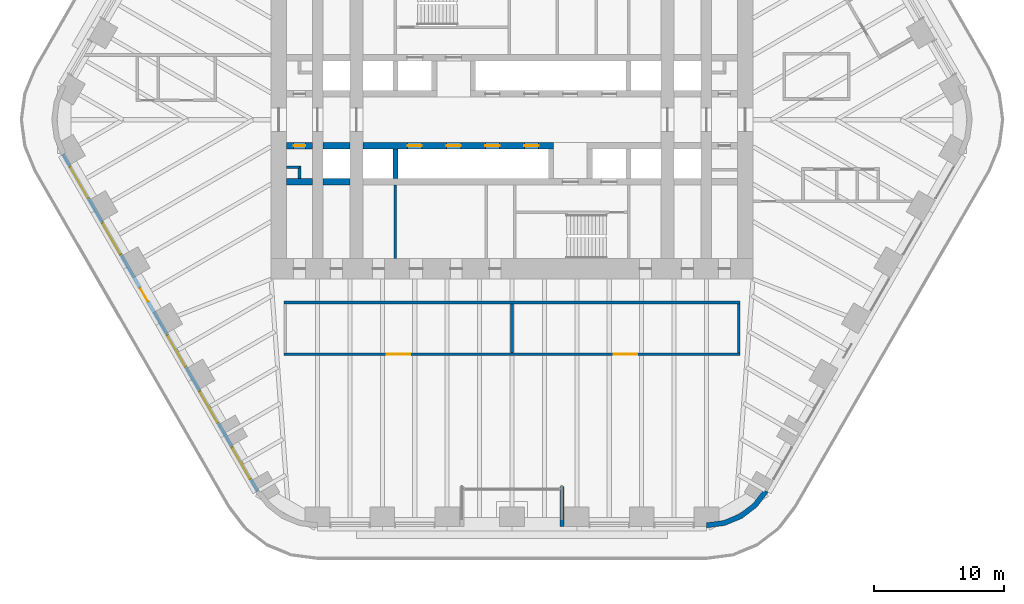
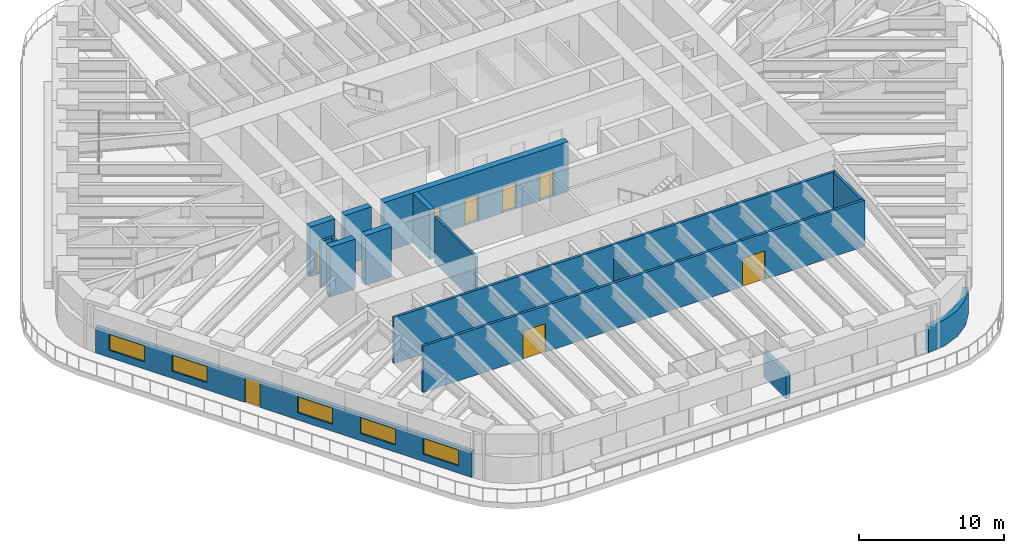
# One storey, part 12 of 19: 16 walls, 8 doors, 5 windows, 13 openings.
"""IFC4 building model written with IfcOpenShell, lengths in metres."""

from ifc_helpers import new_model, si_unit, direction, frame, frame_2d, origin, place, context, subcontext, project, spatial, polyline, rectangle, outline, extrude, material, layer, layer_set, type_object, element, fill, save


model = new_model("IFC4")

# Units and contexts
model_context = context("Model", 3, precision=1e-05, world=origin(), true_north=direction((0.0, 1.0)))
body_context = subcontext(model_context, "Body", "Model", "MODEL_VIEW")
ifc_project = project(units=[si_unit("LENGTHUNIT", "METRE"), si_unit("AREAUNIT", "SQUARE_METRE"), si_unit("VOLUMEUNIT", "CUBIC_METRE"), si_unit("PLANEANGLEUNIT", "RADIAN"), si_unit("MASSUNIT", "GRAM", prefix="KILO")], contexts=[model_context])

# Site, building, storey
site_placement = place(None, origin())
site = spatial("IfcSite", under=ifc_project, at=site_placement, CompositionType="ELEMENT")
building_placement = place(site_placement, origin())
building = spatial("IfcBuilding", under=site, at=building_placement, Name="Tarfa Lantern Tower", CompositionType="ELEMENT")
storey_placement = place(building_placement, frame((0.0, 0.0, 199.300048828125)))
storey = spatial("IfcBuildingStorey", under=building, at=storey_placement, Name="L45", CompositionType="ELEMENT", Elevation=199.300048828125)

# Wall, openings, door, windows
ifc_material_1 = material(Name="Limestone cladding on blockwork", Category="masonry")
ifc_layer_1 = layer(ifc_material_1, 0.300048828125)
ifc_layer_set_1 = layer_set([ifc_layer_1], Name="EW1 STONE-CLAD WALL 300")
wall_type_1 = type_object("IfcWallType", Name="EW1 STONE-CLAD WALL 300", PredefinedType="SOLIDWALL", material=ifc_layer_set_1)
wall_1_placement = place(storey_placement, frame((-34.655517578125, -2.675048828125, 0.0), z_axis=(0.0, 0.0, 1.0), x_axis=(0.500003084452, -0.866023622968, 0.0)))
wall_1 = element("IfcWall", 1, at=wall_1_placement, inside=storey, type_object=wall_type_1, Name="Stone wall SW", PredefinedType="SOLIDWALL", context=body_context, shape_type="SweptSolid", body=[
    extrude(rectangle(XDim=30.022216796875, YDim=0.300048828125, at=frame_2d((15.01123046875, 0.0))), origin(), (0.0, 0.0, 1.0), 2.199951171875),
])
opening_1_placement = place(wall_1_placement, frame((1.101806640625, 0.0, 0.60009765625)))
opening_1 = element("IfcOpeningElement", 2, at=opening_1_placement, cuts=wall_1, Name="Opening W10", PredefinedType="OPENING", context=body_context, shape_type="SweptSolid", body=[
    extrude(rectangle(XDim=2.800048828125, YDim=1.35009765625, at=frame_2d((1.39990234375, 0.675048828125))), frame((0.0, 0.159912109375, 0.0), z_axis=(0.0, -1.0, 0.0), x_axis=(1.0, 0.0, 0.0)), (0.0, 0.0, 1.0), 0.320068359375),
])
opening_2_placement = place(wall_1_placement, frame((6.10546875, 0.0, 0.60009765625)))
opening_2 = element("IfcOpeningElement", 3, at=opening_2_placement, cuts=wall_1, Name="Opening W10", PredefinedType="OPENING", context=body_context, shape_type="SweptSolid", body=[
    extrude(rectangle(XDim=2.800048828125, YDim=1.35009765625, at=frame_2d((1.39990234375, 0.675048828125))), frame((0.0, 0.159912109375, 0.0), z_axis=(0.0, -1.0, 0.0), x_axis=(1.0, 0.0, 0.0)), (0.0, 0.0, 1.0), 0.320068359375),
])
opening_3_placement = place(wall_1_placement, frame((11.9091796875, 0.0, 0.0)))
opening_3 = element("IfcOpeningElement", 4, at=opening_3_placement, cuts=wall_1, Name="Opening D51", PredefinedType="OPENING", context=body_context, shape_type="SweptSolid", body=[
    extrude(rectangle(XDim=1.199951171875, YDim=2.10009765625, at=frame_2d((0.60009765625, 1.050048828125))), frame((0.0, 0.159912109375, 0.0), z_axis=(0.0, -1.0, 0.0), x_axis=(1.0, 0.0, 0.0)), (0.0, 0.0, 1.0), 0.320068359375),
])
opening_4_placement = place(wall_1_placement, frame((16.113037109375, 0.0, 0.60009765625)))
opening_4 = element("IfcOpeningElement", 5, at=opening_4_placement, cuts=wall_1, Name="Opening W10", PredefinedType="OPENING", context=body_context, shape_type="SweptSolid", body=[
    extrude(rectangle(XDim=2.800048828125, YDim=1.35009765625, at=frame_2d((1.39990234375, 0.675048828125))), frame((0.0, 0.159912109375, 0.0), z_axis=(0.0, -1.0, 0.0), x_axis=(1.0, 0.0, 0.0)), (0.0, 0.0, 1.0), 0.320068359375),
])
opening_5_placement = place(wall_1_placement, frame((21.11669921875, 0.0, 0.60009765625)))
opening_5 = element("IfcOpeningElement", 6, at=opening_5_placement, cuts=wall_1, Name="Opening W10", PredefinedType="OPENING", context=body_context, shape_type="SweptSolid", body=[
    extrude(rectangle(XDim=2.800048828125, YDim=1.35009765625, at=frame_2d((1.39990234375, 0.675048828125))), frame((0.0, 0.159912109375, 0.0), z_axis=(0.0, -1.0, 0.0), x_axis=(1.0, 0.0, 0.0)), (0.0, 0.0, 1.0), 0.320068359375),
])
opening_6_placement = place(wall_1_placement, frame((26.120361328125, 0.0, 0.60009765625)))
opening_6 = element("IfcOpeningElement", 7, at=opening_6_placement, cuts=wall_1, Name="Opening W10", PredefinedType="OPENING", context=body_context, shape_type="SweptSolid", body=[
    extrude(rectangle(XDim=2.800048828125, YDim=1.35009765625, at=frame_2d((1.39990234375, 0.675048828125))), frame((0.0, 0.159912109375, 0.0), z_axis=(0.0, -1.0, 0.0), x_axis=(1.0, 0.0, 0.0)), (0.0, 0.0, 1.0), 0.320068359375),
])
ifc_material_2 = material(Name="Aluminium framed glazed door", Category="aluminium")
door_type_1 = type_object("IfcDoorType", Name="BE4 BALCONY DOOR 1200x2100", OperationType="SINGLE_SWING_RIGHT", PredefinedType="DOOR", material=ifc_material_2)
door_1_placement = place(opening_3_placement, origin())
door_1 = element("IfcDoor", 8, at=door_1_placement, inside=storey, type_object=door_type_1, Name="Balcony door SW", OperationType="SINGLE_SWING_RIGHT", OverallHeight=2.10009765625, OverallWidth=1.199951171875, PredefinedType="DOOR", context=body_context, shape_type="SweptSolid", body=[
    extrude(rectangle(XDim=1.199951171875, YDim=2.10009765625, at=frame_2d((0.60009765625, 1.050048828125))), frame((0.0, 0.02490234375, 0.0), z_axis=(0.0, -1.0, 0.0), x_axis=(1.0, 0.0, 0.0)), (0.0, 0.0, 1.0), 0.050048828125),
])
fill(opening_3, door_1)
ifc_material_3 = material(Name="Aluminium frame, double glazed", Category="aluminium")
window_type = type_object("IfcWindowType", Name="W10 FULL-HEIGHT GLAZING 2800x1350", PartitioningType="SINGLE_PANEL", PredefinedType="WINDOW", material=ifc_material_3)
window_1_placement = place(opening_1_placement, origin())
window_1 = element("IfcWindow", 9, at=window_1_placement, inside=storey, type_object=window_type, Name="Window SW 1", OverallHeight=1.35009765625, OverallWidth=2.800048828125, PartitioningType="SINGLE_PANEL", PredefinedType="WINDOW", context=body_context, shape_type="SweptSolid", body=[
    extrude(rectangle(XDim=2.800048828125, YDim=1.35009765625, at=frame_2d((1.39990234375, 0.675048828125))), frame((0.0, 0.030029296875, 0.0), z_axis=(0.0, -1.0, 0.0), x_axis=(1.0, 0.0, 0.0)), (0.0, 0.0, 1.0), 0.06005859375),
])
fill(opening_1, window_1)
window_2_placement = place(opening_2_placement, origin())
window_2 = element("IfcWindow", 10, at=window_2_placement, inside=storey, type_object=window_type, Name="Window SW 2", OverallHeight=1.35009765625, OverallWidth=2.800048828125, PartitioningType="SINGLE_PANEL", PredefinedType="WINDOW", context=body_context, shape_type="SweptSolid", body=[
    extrude(rectangle(XDim=2.800048828125, YDim=1.35009765625, at=frame_2d((1.39990234375, 0.675048828125))), frame((0.0, 0.030029296875, 0.0), z_axis=(0.0, -1.0, 0.0), x_axis=(1.0, 0.0, 0.0)), (0.0, 0.0, 1.0), 0.06005859375),
])
fill(opening_2, window_2)
window_3_placement = place(opening_4_placement, origin())
window_3 = element("IfcWindow", 11, at=window_3_placement, inside=storey, type_object=window_type, Name="Window SW 4", OverallHeight=1.35009765625, OverallWidth=2.800048828125, PartitioningType="SINGLE_PANEL", PredefinedType="WINDOW", context=body_context, shape_type="SweptSolid", body=[
    extrude(rectangle(XDim=2.800048828125, YDim=1.35009765625, at=frame_2d((1.39990234375, 0.675048828125))), frame((0.0, 0.030029296875, 0.0), z_axis=(0.0, -1.0, 0.0), x_axis=(1.0, 0.0, 0.0)), (0.0, 0.0, 1.0), 0.06005859375),
])
fill(opening_4, window_3)
window_4_placement = place(opening_5_placement, origin())
window_4 = element("IfcWindow", 12, at=window_4_placement, inside=storey, type_object=window_type, Name="Window SW 5", OverallHeight=1.35009765625, OverallWidth=2.800048828125, PartitioningType="SINGLE_PANEL", PredefinedType="WINDOW", context=body_context, shape_type="SweptSolid", body=[
    extrude(rectangle(XDim=2.800048828125, YDim=1.35009765625, at=frame_2d((1.39990234375, 0.675048828125))), frame((0.0, 0.030029296875, 0.0), z_axis=(0.0, -1.0, 0.0), x_axis=(1.0, 0.0, 0.0)), (0.0, 0.0, 1.0), 0.06005859375),
])
fill(opening_5, window_4)
window_5_placement = place(opening_6_placement, origin())
window_5 = element("IfcWindow", 13, at=window_5_placement, inside=storey, type_object=window_type, Name="Window SW 6", OverallHeight=1.35009765625, OverallWidth=2.800048828125, PartitioningType="SINGLE_PANEL", PredefinedType="WINDOW", context=body_context, shape_type="SweptSolid", body=[
    extrude(rectangle(XDim=2.800048828125, YDim=1.35009765625, at=frame_2d((1.39990234375, 0.675048828125))), frame((0.0, 0.030029296875, 0.0), z_axis=(0.0, -1.0, 0.0), x_axis=(1.0, 0.0, 0.0)), (0.0, 0.0, 1.0), 0.06005859375),
])
fill(opening_6, window_5)

# Walls
wall_2_placement = place(storey_placement, frame((3.853759765625, -31.39990234375, 0.0), z_axis=(0.0, 0.0, 1.0), x_axis=(0.0, 1.0, 0.0)))
element("IfcWall", 14, at=wall_2_placement, inside=storey, type_object=wall_type_1, Name="Loggia return S 2", PredefinedType="SOLIDWALL", context=body_context, shape_type="SweptSolid", body=[
    extrude(rectangle(XDim=3.099853515625, YDim=0.300048828125, at=frame_2d((1.5498046875, 0.0))), origin(), (0.0, 0.0, 1.0), 2.199951171875),
])
ifc_layer_2 = layer(ifc_material_1, 0.39990234375)
ifc_layer_set_2 = layer_set([ifc_layer_2], Name="EW2 CURVED STONE CORNER 400")
wall_type_2 = type_object("IfcWallType", Name="EW2 CURVED STONE CORNER 400", PredefinedType="SOLIDWALL", material=ifc_layer_set_2)
wall_3_placement = place(storey_placement, origin())
element("IfcWall", 15, at=wall_3_placement, inside=storey, type_object=wall_type_2, Name="Stone corner S-SE", PredefinedType="SOLIDWALL", context=body_context, shape_type="SweptSolid", body=[
    extrude(outline(polyline([(15.010986328125, -31.5), (16.4345703125, -31.3125), (17.760986328125, -30.76318359375), (18.900146484375, -29.88916015625), (19.774169921875, -28.75), (19.427734375, -28.550048828125), (18.617431640625, -29.606201171875), (17.56103515625, -30.416748046875), (16.3310546875, -30.92626953125), (15.010986328125, -31.10009765625), (15.010986328125, -31.5)])), origin(), (0.0, 0.0, 1.0), 2.199951171875),
])
ifc_material_4 = material(Name="Concrete blockwork", Category="masonry")
ifc_layer_3 = layer(ifc_material_4, 0.199951171875)
ifc_layer_set_3 = layer_set([ifc_layer_3], Name="IW1 BLOCKWORK PARTITION 200 EI 120")
wall_type_3 = type_object("IfcWallType", Name="IW1 BLOCKWORK PARTITION 200 EI 120", PredefinedType="PARTITIONING", material=ifc_layer_set_3)
wall_4_placement = place(storey_placement, frame((-9.0, -5.050048828125, 0.0), z_axis=(0.0, 0.0, 1.0), x_axis=(0.0, -1.0, 0.0)))
element("IfcWall", 16, at=wall_4_placement, inside=storey, type_object=wall_type_3, Name="Core partition", PredefinedType="PARTITIONING", context=body_context, shape_type="SweptSolid", body=[
    extrude(rectangle(XDim=5.64990234375, YDim=0.199951171875, at=frame_2d((2.824951171875, 0.0))), origin(), (0.0, 0.0, 1.0), 3.89990234375),
])
for number, where, z_axis, x_axis, name in (
    (17, (-16.39990234375, -3.64990234375, 0.0), (0.0, 0.0, 1.0), (-1.0, 0.0, 0.0), "Core partition"),
    (18, (-16.39990234375, -3.550048828125, 0.0), (0.0, 0.0, 1.0), (0.0, -1.0, 0.0), "Core partition"),
):
    element("IfcWall", number, at=place(storey_placement, frame(where, z_axis=z_axis, x_axis=x_axis)), inside=storey, type_object=wall_type_3, Name=name, PredefinedType="PARTITIONING", context=body_context, shape_type="SweptSolid", body=[
        extrude(rectangle(XDim=1.0, YDim=0.199951171875, at=frame_2d((0.5, 0.0))), origin(), (0.0, 0.0, 1.0), 3.89990234375),
    ])
ifc_material_5 = material(Name="Gypsum board on steel studs", Category="steel")
ifc_layer_4 = layer(ifc_material_5, 0.2099609375)
ifc_layer_set_4 = layer_set([ifc_layer_4], Name="IW2 ACOUSTIC PARTITION 200")
wall_type_4 = type_object("IfcWallType", Name="IW2 ACOUSTIC PARTITION 200", PredefinedType="PARTITIONING", material=ifc_layer_set_4)
wall_5_placement = place(storey_placement, frame((17.60009765625, -14.10009765625, 0.0), z_axis=(0.0, 0.0, 1.0), x_axis=(-1.0, 0.0, 0.0)))
element("IfcWall", 19, at=wall_5_placement, inside=storey, type_object=wall_type_4, Name="Partition", PredefinedType="PARTITIONING", context=body_context, shape_type="SweptSolid", body=[
    extrude(rectangle(XDim=35.2001953125, YDim=0.199951171875, at=frame_2d((17.60009765625, 0.0))), origin(), (0.0, 0.0, 1.0), 3.89990234375),
])

# Wall, openings, doors
wall_6_placement = place(storey_placement, frame((17.60009765625, -18.10009765625, 0.0), z_axis=(0.0, 0.0, 1.0), x_axis=(-1.0, 0.0, 0.0)))
wall_6 = element("IfcWall", 20, at=wall_6_placement, inside=storey, type_object=wall_type_4, Name="Partition", PredefinedType="PARTITIONING", context=body_context, shape_type="SweptSolid", body=[
    extrude(rectangle(XDim=35.2001953125, YDim=0.199951171875, at=frame_2d((17.60009765625, 0.0))), origin(), (0.0, 0.0, 1.0), 3.89990234375),
])
opening_7_placement = place(wall_6_placement, frame((7.949951171875, 0.0, 0.0)))
opening_7 = element("IfcOpeningElement", 21, at=opening_7_placement, cuts=wall_6, Name="Opening D41", PredefinedType="OPENING", context=body_context, shape_type="SweptSolid", body=[
    extrude(rectangle(XDim=1.800048828125, YDim=2.39990234375, at=frame_2d((0.89990234375, 1.199951171875))), frame((0.0, 0.10986328125, 0.0), z_axis=(0.0, -1.0, 0.0), x_axis=(1.0, 0.0, 0.0)), (0.0, 0.0, 1.0), 0.219970703125),
])
opening_8_placement = place(wall_6_placement, frame((25.449951171875, 0.0, 0.0)))
opening_8 = element("IfcOpeningElement", 22, at=opening_8_placement, cuts=wall_6, Name="Opening D42", PredefinedType="OPENING", context=body_context, shape_type="SweptSolid", body=[
    extrude(rectangle(XDim=1.800048828125, YDim=2.39990234375, at=frame_2d((0.89990234375, 1.199951171875))), frame((0.0, 0.10986328125, 0.0), z_axis=(0.0, -1.0, 0.0), x_axis=(1.0, 0.0, 0.0)), (0.0, 0.0, 1.0), 0.219970703125),
])
ifc_material_6 = material(Name="Timber door", Category="wood")
door_type_2 = type_object("IfcDoorType", Name="DR2 ROOM DOOR 1800x2400", OperationType="DOUBLE_DOOR_SINGLE_SWING", PredefinedType="DOOR", material=ifc_material_6)
door_2_placement = place(opening_7_placement, frame((1.800048828125, 0.0, 0.0), z_axis=(0.0, 0.0, 1.0), x_axis=(-1.0, 0.0, 0.0)))
door_2 = element("IfcDoor", 23, at=door_2_placement, inside=storey, type_object=door_type_2, Name="Pantry door", OperationType="DOUBLE_DOOR_SINGLE_SWING", OverallHeight=2.39990234375, OverallWidth=1.800048828125, PredefinedType="DOOR", context=body_context, shape_type="SweptSolid", body=[
    extrude(rectangle(XDim=1.800048828125, YDim=2.39990234375, at=frame_2d((0.89990234375, 1.199951171875))), frame((0.0, 0.02490234375, 0.0), z_axis=(0.0, -1.0, 0.0), x_axis=(1.0, 0.0, 0.0)), (0.0, 0.0, 1.0), 0.050048828125),
])
fill(opening_7, door_2)
door_3_placement = place(opening_8_placement, frame((1.800048828125, 0.0, 0.0), z_axis=(0.0, 0.0, 1.0), x_axis=(-1.0, 0.0, 0.0)))
door_3 = element("IfcDoor", 24, at=door_3_placement, inside=storey, type_object=door_type_2, Name="Print room door", OperationType="DOUBLE_DOOR_SINGLE_SWING", OverallHeight=2.39990234375, OverallWidth=1.800048828125, PredefinedType="DOOR", context=body_context, shape_type="SweptSolid", body=[
    extrude(rectangle(XDim=1.800048828125, YDim=2.39990234375, at=frame_2d((0.89990234375, 1.199951171875))), frame((0.0, 0.02490234375, 0.0), z_axis=(0.0, -1.0, 0.0), x_axis=(1.0, 0.0, 0.0)), (0.0, 0.0, 1.0), 0.050048828125),
])
fill(opening_8, door_3)

# Walls
wall_7_placement = place(storey_placement, frame((17.5, -14.199951171875, 0.0), z_axis=(0.0, 0.0, 1.0), x_axis=(0.0, -1.0, 0.0)))
element("IfcWall", 25, at=wall_7_placement, inside=storey, type_object=wall_type_4, Name="Partition", PredefinedType="PARTITIONING", context=body_context, shape_type="SweptSolid", body=[
    extrude(rectangle(XDim=3.800048828125, YDim=0.199951171875, at=frame_2d((1.89990234375, 0.0))), origin(), (0.0, 0.0, 1.0), 3.89990234375),
])
wall_8_placement = place(storey_placement, frame((0.0, -14.199951171875, 0.0), z_axis=(0.0, 0.0, 1.0), x_axis=(0.0, -1.0, 0.0)))
element("IfcWall", 26, at=wall_8_placement, inside=storey, type_object=wall_type_4, Name="Partition", PredefinedType="PARTITIONING", context=body_context, shape_type="SweptSolid", body=[
    extrude(rectangle(XDim=3.800048828125, YDim=0.199951171875, at=frame_2d((1.89990234375, 0.0))), origin(), (0.0, 0.0, 1.0), 2.843994140625),
])

# Wall, openings, doors
ifc_material_7 = material(Name="Concrete C80/95", Category="concrete")
ifc_layer_5 = layer(ifc_material_7, 0.5)
ifc_layer_set_5 = layer_set([ifc_layer_5], Name="SW5 CORE WALL 500")
wall_type_5 = type_object("IfcWallType", Name="SW5 CORE WALL 500", PredefinedType="SHEAR", material=ifc_layer_set_5)
wall_9_placement = place(storey_placement, frame((3.199951171875, -2.0, 0.0), z_axis=(0.0, 0.0, 1.0), x_axis=(-1.0, 0.0, 0.0)))
wall_9 = element("IfcWall", 27, at=wall_9_placement, inside=storey, type_object=wall_type_5, Name="Core wall lobby east S", PredefinedType="SHEAR", context=body_context, shape_type="SweptSolid", body=[
    extrude(rectangle(XDim=14.699951171875, YDim=0.5, at=frame_2d((7.35009765625, 0.0))), origin(), (0.0, 0.0, 1.0), 4.199951171875),
])
opening_9_placement = place(wall_9_placement, frame((1.14990234375, 0.0, 0.0)))
opening_9 = element("IfcOpeningElement", 28, at=opening_9_placement, cuts=wall_9, Name="Opening LD07", PredefinedType="OPENING", context=body_context, shape_type="SweptSolid", body=[
    extrude(rectangle(XDim=1.10009765625, YDim=2.199951171875, at=frame_2d((0.550048828125, 1.10009765625))), frame((0.0, 0.260009765625, 0.0), z_axis=(0.0, -1.0, 0.0), x_axis=(1.0, 0.0, 0.0)), (0.0, 0.0, 1.0), 0.52001953125),
])
opening_10_placement = place(wall_9_placement, frame((4.14990234375, 0.0, 0.0)))
opening_10 = element("IfcOpeningElement", 29, at=opening_10_placement, cuts=wall_9, Name="Opening LD08", PredefinedType="OPENING", context=body_context, shape_type="SweptSolid", body=[
    extrude(rectangle(XDim=1.10009765625, YDim=2.199951171875, at=frame_2d((0.550048828125, 1.10009765625))), frame((0.0, 0.260009765625, 0.0), z_axis=(0.0, -1.0, 0.0), x_axis=(1.0, 0.0, 0.0)), (0.0, 0.0, 1.0), 0.52001953125),
])
opening_11_placement = place(wall_9_placement, frame((7.14990234375, 0.0, 0.0)))
opening_11 = element("IfcOpeningElement", 30, at=opening_11_placement, cuts=wall_9, Name="Opening LD09", PredefinedType="OPENING", context=body_context, shape_type="SweptSolid", body=[
    extrude(rectangle(XDim=1.10009765625, YDim=2.199951171875, at=frame_2d((0.550048828125, 1.10009765625))), frame((0.0, 0.260009765625, 0.0), z_axis=(0.0, -1.0, 0.0), x_axis=(1.0, 0.0, 0.0)), (0.0, 0.0, 1.0), 0.52001953125),
])
opening_12_placement = place(wall_9_placement, frame((10.14990234375, 0.0, 0.0)))
opening_12 = element("IfcOpeningElement", 31, at=opening_12_placement, cuts=wall_9, Name="Opening LD10", PredefinedType="OPENING", context=body_context, shape_type="SweptSolid", body=[
    extrude(rectangle(XDim=1.10009765625, YDim=2.199951171875, at=frame_2d((0.550048828125, 1.10009765625))), frame((0.0, 0.260009765625, 0.0), z_axis=(0.0, -1.0, 0.0), x_axis=(1.0, 0.0, 0.0)), (0.0, 0.0, 1.0), 0.52001953125),
])
ifc_material_8 = material(Name="Stainless steel lift door", Category="steel")
door_type_3 = type_object("IfcDoorType", Name="LD2 LIFT LANDING DOOR 1100x2200", OperationType="SLIDING_TO_LEFT", PredefinedType="DOOR", material=ifc_material_8)
door_4_placement = place(opening_9_placement, frame((1.10009765625, 0.0, 0.0), z_axis=(0.0, 0.0, 1.0), x_axis=(-1.0, 0.0, 0.0)))
door_4 = element("IfcDoor", 32, at=door_4_placement, inside=storey, type_object=door_type_3, Name="Landing door PB5", OperationType="SLIDING_TO_LEFT", OverallHeight=2.199951171875, OverallWidth=1.10009765625, PredefinedType="DOOR", context=body_context, shape_type="SweptSolid", body=[
    extrude(rectangle(XDim=1.10009765625, YDim=2.199951171875, at=frame_2d((0.550048828125, 1.10009765625))), frame((0.0, 0.02490234375, 0.0), z_axis=(0.0, -1.0, 0.0), x_axis=(1.0, 0.0, 0.0)), (0.0, 0.0, 1.0), 0.050048828125),
])
fill(opening_9, door_4)
door_5_placement = place(opening_10_placement, frame((1.10009765625, 0.0, 0.0), z_axis=(0.0, 0.0, 1.0), x_axis=(-1.0, 0.0, 0.0)))
door_5 = element("IfcDoor", 33, at=door_5_placement, inside=storey, type_object=door_type_3, Name="Landing door PB6", OperationType="SLIDING_TO_LEFT", OverallHeight=2.199951171875, OverallWidth=1.10009765625, PredefinedType="DOOR", context=body_context, shape_type="SweptSolid", body=[
    extrude(rectangle(XDim=1.10009765625, YDim=2.199951171875, at=frame_2d((0.550048828125, 1.10009765625))), frame((0.0, 0.02490234375, 0.0), z_axis=(0.0, -1.0, 0.0), x_axis=(1.0, 0.0, 0.0)), (0.0, 0.0, 1.0), 0.050048828125),
])
fill(opening_10, door_5)
door_6_placement = place(opening_11_placement, frame((1.10009765625, 0.0, 0.0), z_axis=(0.0, 0.0, 1.0), x_axis=(-1.0, 0.0, 0.0)))
door_6 = element("IfcDoor", 34, at=door_6_placement, inside=storey, type_object=door_type_3, Name="Landing door PB7", OperationType="SLIDING_TO_LEFT", OverallHeight=2.199951171875, OverallWidth=1.10009765625, PredefinedType="DOOR", context=body_context, shape_type="SweptSolid", body=[
    extrude(rectangle(XDim=1.10009765625, YDim=2.199951171875, at=frame_2d((0.550048828125, 1.10009765625))), frame((0.0, 0.02490234375, 0.0), z_axis=(0.0, -1.0, 0.0), x_axis=(1.0, 0.0, 0.0)), (0.0, 0.0, 1.0), 0.050048828125),
])
fill(opening_11, door_6)
door_7_placement = place(opening_12_placement, frame((1.10009765625, 0.0, 0.0), z_axis=(0.0, 0.0, 1.0), x_axis=(-1.0, 0.0, 0.0)))
door_7 = element("IfcDoor", 35, at=door_7_placement, inside=storey, type_object=door_type_3, Name="Landing door PB8", OperationType="SLIDING_TO_LEFT", OverallHeight=2.199951171875, OverallWidth=1.10009765625, PredefinedType="DOOR", context=body_context, shape_type="SweptSolid", body=[
    extrude(rectangle(XDim=1.10009765625, YDim=2.199951171875, at=frame_2d((0.550048828125, 1.10009765625))), frame((0.0, 0.02490234375, 0.0), z_axis=(0.0, -1.0, 0.0), x_axis=(1.0, 0.0, 0.0)), (0.0, 0.0, 1.0), 0.050048828125),
])
fill(opening_12, door_7)

# Wall
wall_10_placement = place(storey_placement, frame((-12.5, -2.0, 0.0), z_axis=(0.0, 0.0, 1.0), x_axis=(-1.0, 0.0, 0.0)))
element("IfcWall", 36, at=wall_10_placement, inside=storey, type_object=wall_type_5, Name="Core wall lobby east S", PredefinedType="SHEAR", context=body_context, shape_type="SweptSolid", body=[
    extrude(rectangle(XDim=2.10009765625, YDim=0.5, at=frame_2d((1.050048828125, 0.0))), origin(), (0.0, 0.0, 1.0), 4.199951171875),
])

# Wall, opening, door
wall_11_placement = place(storey_placement, frame((-15.39990234375, -2.0, 0.0), z_axis=(0.0, 0.0, 1.0), x_axis=(-1.0, 0.0, 0.0)))
wall_11 = element("IfcWall", 37, at=wall_11_placement, inside=storey, type_object=wall_type_5, Name="Core wall lobby east S", PredefinedType="SHEAR", context=body_context, shape_type="SweptSolid", body=[
    extrude(rectangle(XDim=2.0, YDim=0.5, at=frame_2d((1.0, 0.0))), origin(), (0.0, 0.0, 1.0), 4.199951171875),
])
opening_13_placement = place(wall_11_placement, frame((0.550048828125, 0.0, 0.0)))
opening_13 = element("IfcOpeningElement", 38, at=opening_13_placement, cuts=wall_11, Name="Opening D18", PredefinedType="OPENING", context=body_context, shape_type="SweptSolid", body=[
    extrude(rectangle(XDim=0.89990234375, YDim=2.199951171875, at=frame_2d((0.449951171875, 1.10009765625))), frame((0.0, 0.260009765625, 0.0), z_axis=(0.0, -1.0, 0.0), x_axis=(1.0, 0.0, 0.0)), (0.0, 0.0, 1.0), 0.52001953125),
])
ifc_material_9 = material(Name="Steel fire door", Category="steel")
door_type_4 = type_object("IfcDoorType", Name="DF6 SERVICE ROOM DOOR 900x2200", OperationType="SINGLE_SWING_LEFT", PredefinedType="DOOR", material=ifc_material_9)
door_8_placement = place(opening_13_placement, origin())
door_8 = element("IfcDoor", 39, at=door_8_placement, inside=storey, type_object=door_type_4, Name="Service room door", OperationType="SINGLE_SWING_LEFT", OverallHeight=2.199951171875, OverallWidth=0.89990234375, PredefinedType="DOOR", context=body_context, shape_type="SweptSolid", body=[
    extrude(rectangle(XDim=0.89990234375, YDim=2.199951171875, at=frame_2d((0.449951171875, 1.10009765625))), frame((0.0, 0.02490234375, 0.0), z_axis=(0.0, -1.0, 0.0), x_axis=(1.0, 0.0, 0.0)), (0.0, 0.0, 1.0), 0.050048828125),
])
fill(opening_13, door_8)

# Walls
wall_12_placement = place(storey_placement, frame((-12.5, -4.800048828125, 0.0), z_axis=(0.0, 0.0, 1.0), x_axis=(-1.0, 0.0, 0.0)))
element("IfcWall", 40, at=wall_12_placement, inside=storey, type_object=wall_type_5, Name="Core wall rear S", PredefinedType="SHEAR", context=body_context, shape_type="SweptSolid", body=[
    extrude(rectangle(XDim=2.10009765625, YDim=0.5, at=frame_2d((1.050048828125, 0.0))), origin(), (0.0, 0.0, 1.0), 4.199951171875),
])
wall_13_placement = place(storey_placement, frame((-15.39990234375, -4.800048828125, 0.0), z_axis=(0.0, 0.0, 1.0), x_axis=(-1.0, 0.0, 0.0)))
element("IfcWall", 41, at=wall_13_placement, inside=storey, type_object=wall_type_5, Name="Core wall rear S", PredefinedType="SHEAR", context=body_context, shape_type="SweptSolid", body=[
    extrude(rectangle(XDim=2.0, YDim=0.5, at=frame_2d((1.0, 0.0))), origin(), (0.0, 0.0, 1.0), 4.199951171875),
])
ifc_layer_6 = layer(ifc_material_7, 0.39990234375)
ifc_layer_set_6 = layer_set([ifc_layer_6], Name="SW6 CORE WALL 400")
wall_type_6 = type_object("IfcWallType", Name="SW6 CORE WALL 400", PredefinedType="SHEAR", material=ifc_layer_set_6)
wall_14_placement = place(storey_placement, frame((-9.0, -2.25, 0.0), z_axis=(0.0, 0.0, 1.0), x_axis=(0.0, -1.0, 0.0)))
element("IfcWall", 42, at=wall_14_placement, inside=storey, type_object=wall_type_6, Name="Core wall divider S", PredefinedType="SHEAR", context=body_context, shape_type="SweptSolid", body=[
    extrude(rectangle(XDim=2.300048828125, YDim=0.39990234375, at=frame_2d((1.14990234375, 0.0))), origin(), (0.0, 0.0, 1.0), 4.199951171875),
])

save(model, "model.ifc")
